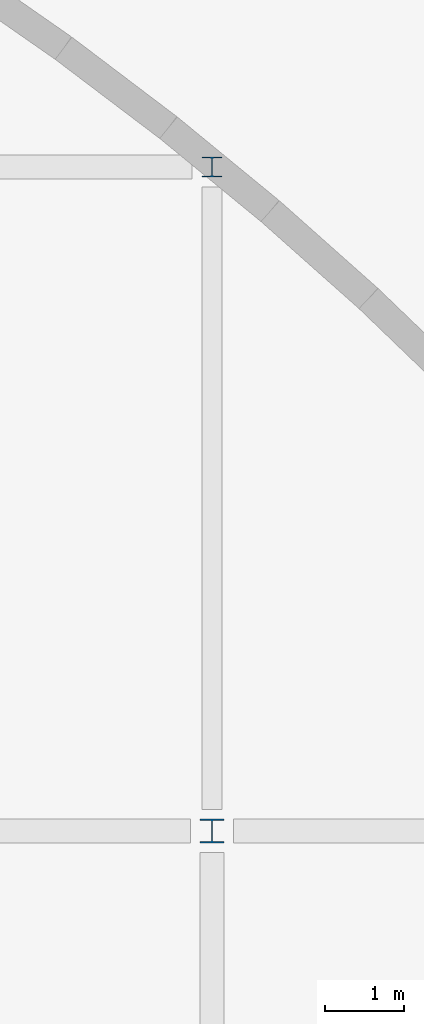
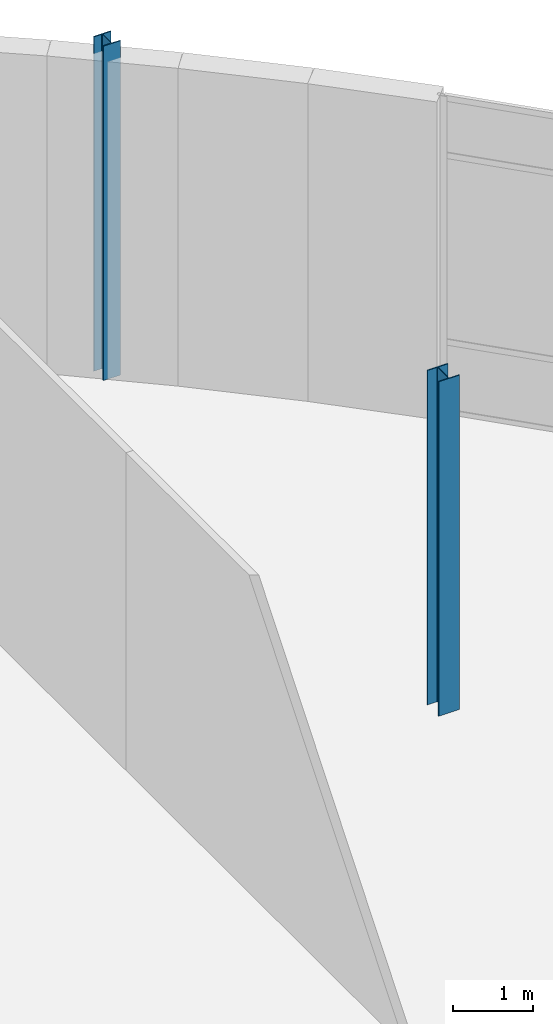
# One storey, part 14 of 91: 2 columns.
"""IFC4 building model written with IfcOpenShell, lengths in metres."""

from ifc_helpers import new_model, si_unit, direction, frame, origin, origin_2d, place, context, subcontext, project, spatial, i_section, extrude, material, material_profile, profile_set, type_object, element, save


model = new_model("IFC4")

# Units and contexts
model_context = context("Model", 3, precision=1e-05, world=origin(), true_north=direction((0.0, 1.0)))
body_context = subcontext(model_context, "Body", "Model", "MODEL_VIEW")
ifc_project = project(units=[si_unit("LENGTHUNIT", "METRE"), si_unit("AREAUNIT", "SQUARE_METRE"), si_unit("VOLUMEUNIT", "CUBIC_METRE"), si_unit("PLANEANGLEUNIT", "RADIAN"), si_unit("MASSUNIT", "GRAM", prefix="KILO"), si_unit("THERMODYNAMICTEMPERATUREUNIT", "KELVIN")], contexts=[model_context])

# Site, building, storey
site_placement = place(None, origin())
site = spatial("IfcSite", under=ifc_project, at=site_placement, CompositionType="ELEMENT")
building_placement = place(site_placement, origin())
building = spatial("IfcBuilding", under=site, at=building_placement, Name="Lustrewick Department Store", CompositionType="ELEMENT")
storey_placement = place(building_placement, frame((0.0, 0.0, 21.60009765625)))
storey = spatial("IfcBuildingStorey", under=building, at=storey_placement, Name="L05", CompositionType="ELEMENT", Elevation=21.60009765625)

# Columns
ifc_material = material(Name="Structural steel Q355B", Category="steel")
ifc_material_profile_1 = material_profile(ifc_material, i_section(OverallWidth=0.300048828125, OverallDepth=0.300048828125, WebThickness=0.010009765625, FlangeThickness=0.014892578125, FilletRadius=0.01806640625, at=origin_2d()), Name="HW 300x300x10x15")
ifc_profile_set_1 = profile_set([ifc_material_profile_1], Name="Structural steel Q355B")
column_type_1 = type_object("IfcColumnType", Name="C15", PredefinedType="COLUMN", material=ifc_profile_set_1)
column_1_placement = place(storey_placement, frame((142.800048828125, 84.0, 0.0), z_axis=(0.0, 0.0, 1.0), x_axis=(1.0, 0.0, 0.0)))
element("IfcColumn", 1, at=column_1_placement, inside=storey, type_object=column_type_1, Name="L05 V4 Column C15", PredefinedType="COLUMN", context=body_context, shape_type="SweptSolid", body=[
    extrude(i_section(OverallWidth=0.300048828125, OverallDepth=0.300048828125, WebThickness=0.010009765625, FlangeThickness=0.014892578125, FilletRadius=0.01806640625, at=origin_2d()), origin(), (0.0, 0.0, 1.0), 5.099853515625),
])
ifc_material_profile_2 = material_profile(ifc_material, i_section(OverallWidth=0.25, OverallDepth=0.25, WebThickness=0.009033203125, FlangeThickness=0.013916015625, FilletRadius=0.01611328125, at=origin_2d()), Name="HW 250x250x9x14")
ifc_profile_set_2 = profile_set([ifc_material_profile_2], Name="Structural steel Q355B")
column_type_2 = type_object("IfcColumnType", Name="CE08", PredefinedType="COLUMN", material=ifc_profile_set_2)
column_2_placement = place(storey_placement, frame((142.800048828125, 92.39990234375, 0.0), z_axis=(0.0, 0.0, 1.0), x_axis=(1.0, 0.0, 0.0)))
element("IfcColumn", 2, at=column_2_placement, inside=storey, type_object=column_type_2, Name="L05 V4 Column CE08", PredefinedType="COLUMN", context=body_context, shape_type="SweptSolid", body=[
    extrude(i_section(OverallWidth=0.25, OverallDepth=0.25, WebThickness=0.009033203125, FlangeThickness=0.013916015625, FilletRadius=0.01611328125, at=origin_2d()), origin(), (0.0, 0.0, 1.0), 5.099853515625),
])

save(model, "model.ifc")
